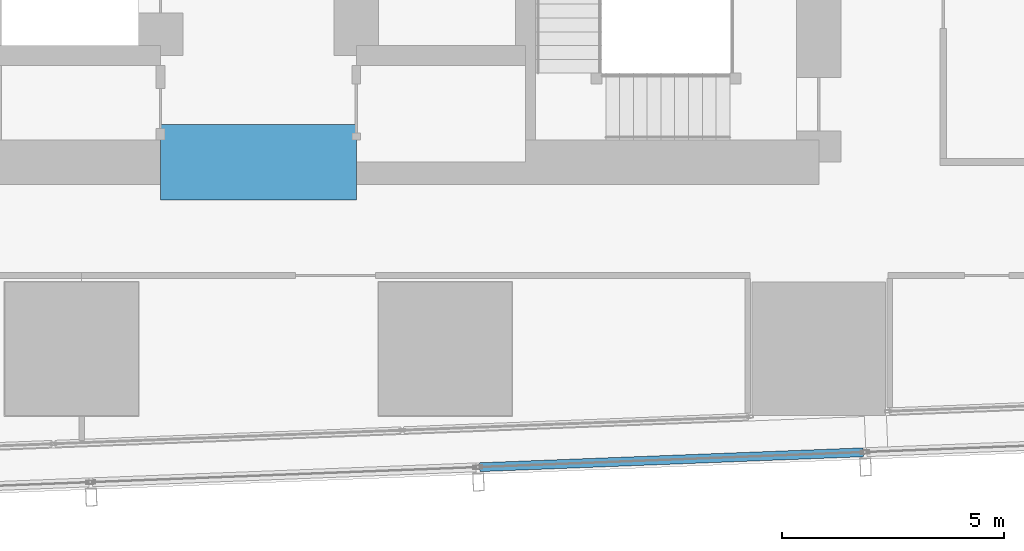
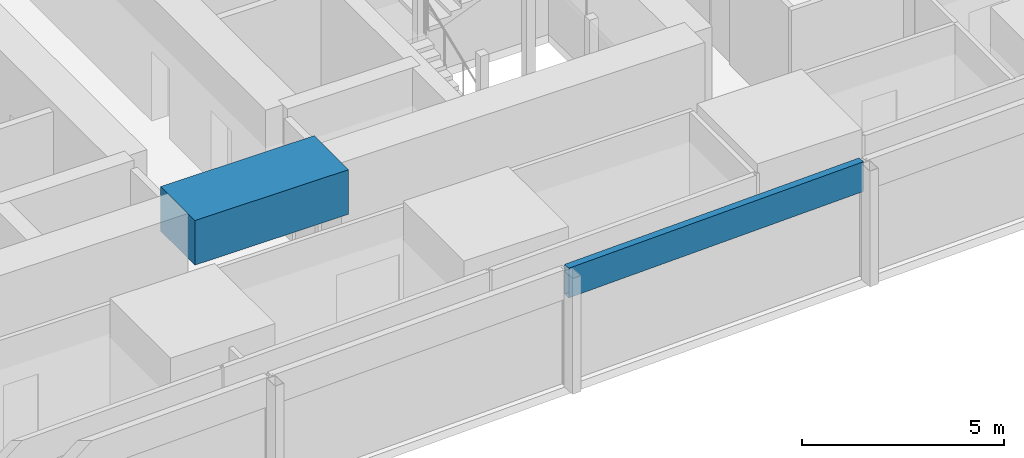
# One storey, part 10 of 39: 1 beam, 1 member, 1 element without a shape of its own.
"""IFC4 building model written with IfcOpenShell, lengths in metres."""

from ifc_helpers import new_model, si_unit, direction, frame, origin, origin_2d, place, context, subcontext, project, spatial, rectangle, hollow_rectangle, extrude, material, material_profile, profile_set, type_object, element, aggregate, save


model = new_model("IFC4")

# Units and contexts
model_context = context("Model", 3, precision=1e-05, world=origin(), true_north=direction((0.0, 1.0)))
body_context = subcontext(model_context, "Body", "Model", "MODEL_VIEW")
ifc_project = project(units=[si_unit("LENGTHUNIT", "METRE"), si_unit("AREAUNIT", "SQUARE_METRE"), si_unit("VOLUMEUNIT", "CUBIC_METRE"), si_unit("PLANEANGLEUNIT", "RADIAN"), si_unit("MASSUNIT", "GRAM", prefix="KILO")], contexts=[model_context])

# Site, building, storey
site_placement = place(None, origin())
site = spatial("IfcSite", under=ifc_project, at=site_placement, CompositionType="ELEMENT")
building_placement = place(site_placement, origin())
building = spatial("IfcBuilding", under=site, at=building_placement, Name="Rekha Terrace Tower", CompositionType="ELEMENT")
storey_placement = place(building_placement, frame((0.0, 0.0, 155.300048828125)))
storey = spatial("IfcBuildingStorey", under=building, at=storey_placement, Name="L39", CompositionType="ELEMENT", Elevation=155.300048828125)

# Curtain wall, member
ifc_material_1 = material(Name="Aluminium framing", Category="aluminium")
curtain_wall_type = type_object("IfcCurtainWallType", Name="CW2 double skin outer glazing", PredefinedType="USERDEFINED", material=ifc_material_1)
curtain_wall_placement = place(storey_placement, origin())
curtain_wall = element("IfcCurtainWall", 1, at=curtain_wall_placement, inside=storey, type_object=curtain_wall_type, Name="CW2 double skin outer glazing", ObjectType="DOUBLE SKIN OUTER GLAZING", PredefinedType="USERDEFINED")
ifc_material_2 = material(Name="Insulated aluminium spandrel box", Category="aluminium")
ifc_material_profile_1 = material_profile(ifc_material_2, hollow_rectangle(XDim=0.199951171875, YDim=0.89990234375, WallThickness=0.0029296875, at=origin_2d()), Name="AL SPANDREL BOX 200x900")
ifc_profile_set_1 = profile_set([ifc_material_profile_1], Name="Insulated aluminium spandrel box")
member_type = type_object("IfcMemberType", Name="CW2 spandrel transom 200 x 900", PredefinedType="USERDEFINED", material=ifc_profile_set_1)
member_placement = place(storey_placement, frame((42.774169921875, 14.139404296875, 3.050048828125), z_axis=(0.999243438523, 0.038891523097, 0.0), x_axis=(-0.038891523097, 0.999243438523, 0.0)))
member = element("IfcMember", 2, at=member_placement, type_object=member_type, Name="CW2 spandrel transom 3", ObjectType="TRANSOM", PredefinedType="USERDEFINED", context=body_context, shape_type="SweptSolid", body=[
    extrude(hollow_rectangle(XDim=0.199951171875, YDim=0.89990234375, WallThickness=0.0029296875, at=origin_2d()), origin(), (0.0, 0.0, 1.0), 8.631591796875),
])
aggregate(curtain_wall, [member])

# Beam
ifc_material_3 = material(Name="Concrete M70", Category="concrete")
ifc_material_profile_2 = material_profile(ifc_material_3, rectangle(XDim=1.699951171875, YDim=1.35009765625, at=origin_2d()), Name="RC 1700x1350")
ifc_profile_set_2 = profile_set([ifc_material_profile_2], Name="Concrete M70")
beam_type = type_object("IfcBeamType", Name="LB2A 1700x1350 diagonally reinforced coupling beam", PredefinedType="LINTEL", material=ifc_profile_set_2)
beam_placement = place(storey_placement, frame((35.60009765625, 21.0, 3.074951171875), z_axis=(1.0, 0.0, 0.0), x_axis=(0.0, 1.0, 0.0)))
element("IfcBeam", 3, at=beam_placement, inside=storey, type_object=beam_type, Name="Coupling beam LB2A S L39", PredefinedType="LINTEL", context=body_context, shape_type="SweptSolid", body=[
    extrude(rectangle(XDim=1.699951171875, YDim=1.35009765625, at=origin_2d()), origin(), (0.0, 0.0, 1.0), 4.39990234375),
])

save(model, "model.ifc")
